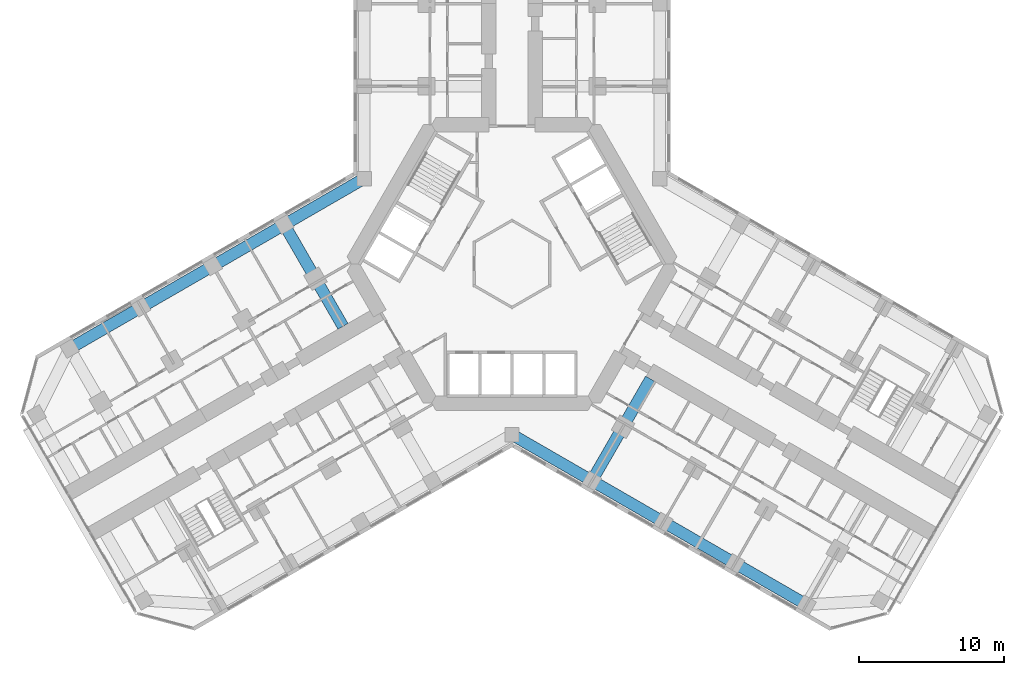
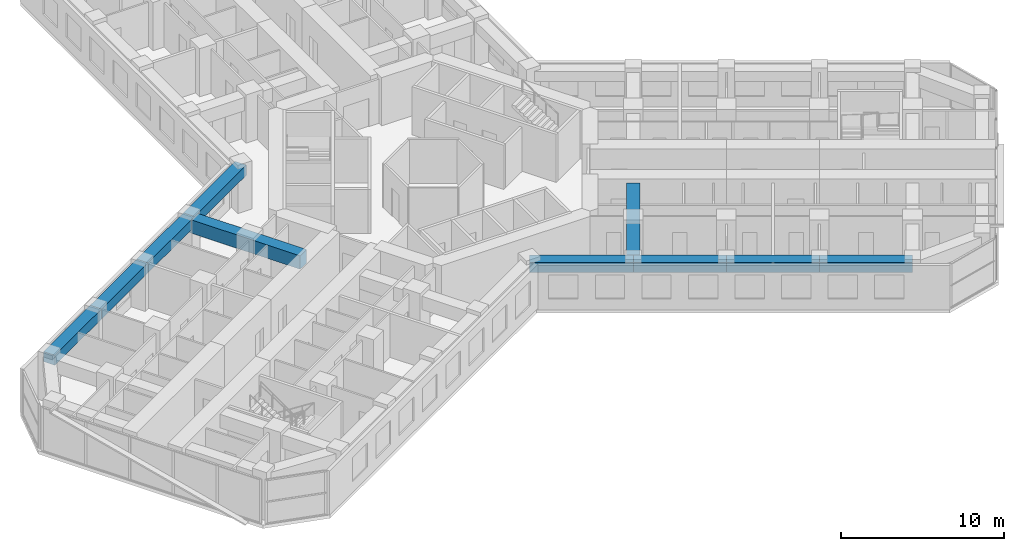
# One storey, part 4 of 21: 10 beams.
"""IFC4 building model written with IfcOpenShell, lengths in metres."""

from ifc_helpers import new_model, si_unit, direction, frame, origin, origin_2d, place, context, subcontext, project, spatial, rectangle, extrude, material, material_profile, profile_set, type_object, element, save


model = new_model("IFC4")

# Units and contexts
model_context = context("Model", 3, precision=1e-05, world=origin(), true_north=direction((0.0, 1.0)))
body_context = subcontext(model_context, "Body", "Model", "MODEL_VIEW")
ifc_project = project(units=[si_unit("LENGTHUNIT", "METRE"), si_unit("AREAUNIT", "SQUARE_METRE"), si_unit("VOLUMEUNIT", "CUBIC_METRE"), si_unit("PLANEANGLEUNIT", "RADIAN"), si_unit("MASSUNIT", "GRAM", prefix="KILO")], contexts=[model_context])

# Site, building, storey
site_placement = place(None, origin())
site = spatial("IfcSite", under=ifc_project, at=site_placement, CompositionType="ELEMENT")
building_placement = place(site_placement, origin())
building = spatial("IfcBuilding", under=site, at=building_placement, Name="Kosmar Iwan School Tower", CompositionType="ELEMENT")
storey_placement = place(building_placement, frame((0.0, 0.0, 109.60009765625)))
storey = spatial("IfcBuildingStorey", under=building, at=storey_placement, Name="L27", CompositionType="ELEMENT", Elevation=109.60009765625)

# Beams
ifc_material_1 = material(Name="Concrete C50/60", Category="concrete")
ifc_material_profile_1 = material_profile(ifc_material_1, rectangle(XDim=0.800048828125, YDim=0.75, at=origin_2d()), Name="RC 800x750 + HD 400x634")
ifc_profile_set_1 = profile_set([ifc_material_profile_1], Name="Concrete C50/60")
beam_type_1 = type_object("IfcBeamType", Name="Composite edge beam 800x750 HD 400x634", PredefinedType="BEAM", material=ifc_profile_set_1)
beam_1_placement = place(storey_placement, frame((-10.199951171875, 5.888916015625, 2.9248046875), z_axis=(-0.866030912664, -0.49999045822, 0.0), x_axis=(0.49999045822, -0.866030912664, 0.0)))
element("IfcBeam", 1, at=beam_1_placement, inside=storey, type_object=beam_type_1, Name="Edge beam BR1", PredefinedType="BEAM", context=body_context, shape_type="SweptSolid", body=[
    extrude(rectangle(XDim=0.800048828125, YDim=0.75, at=origin_2d()), origin(), (0.0, 0.0, 1.0), 6.36083984375),
])
beam_2_placement = place(storey_placement, frame((-15.708740234375, 2.70849609375, 2.9248046875), z_axis=(-0.866025820012, -0.499999279071, 0.0), x_axis=(0.499999279071, -0.866025820012, 0.0)))
element("IfcBeam", 2, at=beam_2_placement, inside=storey, type_object=beam_type_1, Name="Edge beam BR2", PredefinedType="BEAM", context=body_context, shape_type="SweptSolid", body=[
    extrude(rectangle(XDim=0.800048828125, YDim=0.75, at=origin_2d()), origin(), (0.0, 0.0, 1.0), 5.7001953125),
])
for number, where, z_axis, x_axis, name in (
    (3, (-20.645263671875, -0.1416015625, 2.9248046875), (-0.866033658841, -0.49998570155, 0.0), (0.49998570155, -0.866033658841, 0.0), "Edge beam BR3"),
    (4, (-25.58154296875, -2.991455078125, 2.9248046875), (-0.866015111908, -0.50001782563, 0.0), (0.50001782563, -0.866015111908, 0.0), "Edge beam BR4"),
):
    element("IfcBeam", number, at=place(storey_placement, frame(where, z_axis=z_axis, x_axis=x_axis)), inside=storey, type_object=beam_type_1, Name=name, PredefinedType="BEAM", context=body_context, shape_type="SweptSolid", body=[
        extrude(rectangle(XDim=0.800048828125, YDim=0.75, at=origin_2d()), origin(), (0.0, 0.0, 1.0), 5.699951171875),
    ])
beam_3_placement = place(storey_placement, frame((0.0, -11.77783203125, 2.9248046875), z_axis=(0.866014293216, -0.500019243575, 0.0), x_axis=(0.500019243575, 0.866014293216, 0.0)))
element("IfcBeam", 5, at=beam_3_placement, inside=storey, type_object=beam_type_1, Name="Edge beam CR1", PredefinedType="BEAM", context=body_context, shape_type="SweptSolid", body=[
    extrude(rectangle(XDim=0.800048828125, YDim=0.75, at=origin_2d()), origin(), (0.0, 0.0, 1.0), 6.361083984375),
])
beam_4_placement = place(storey_placement, frame((5.5087890625, -14.95849609375, 2.9248046875), z_axis=(0.866033658841, -0.49998570155, 0.0), x_axis=(0.49998570155, 0.866033658841, 0.0)))
element("IfcBeam", 6, at=beam_4_placement, inside=storey, type_object=beam_type_1, Name="Edge beam CR2", PredefinedType="BEAM", context=body_context, shape_type="SweptSolid", body=[
    extrude(rectangle(XDim=0.800048828125, YDim=0.75, at=origin_2d()), origin(), (0.0, 0.0, 1.0), 5.699951171875),
])
beam_5_placement = place(storey_placement, frame((10.445068359375, -17.808349609375, 2.9248046875), z_axis=(0.866025820012, -0.499999279071, 0.0), x_axis=(0.499999279071, 0.866025820012, 0.0)))
element("IfcBeam", 7, at=beam_5_placement, inside=storey, type_object=beam_type_1, Name="Edge beam CR3", PredefinedType="BEAM", context=body_context, shape_type="SweptSolid", body=[
    extrude(rectangle(XDim=0.800048828125, YDim=0.75, at=origin_2d()), origin(), (0.0, 0.0, 1.0), 5.7001953125),
])
beam_6_placement = place(storey_placement, frame((15.381591796875, -20.658447265625, 2.9248046875), z_axis=(0.866015111908, -0.50001782563, 0.0), x_axis=(0.50001782563, 0.866015111908, 0.0)))
element("IfcBeam", 8, at=beam_6_placement, inside=storey, type_object=beam_type_1, Name="Edge beam CR4", PredefinedType="BEAM", context=body_context, shape_type="SweptSolid", body=[
    extrude(rectangle(XDim=0.800048828125, YDim=0.75, at=origin_2d()), origin(), (0.0, 0.0, 1.0), 5.699951171875),
])
ifc_material_2 = material(Name="Concrete C50/60", Category="concrete")
ifc_material_profile_2 = material_profile(ifc_material_2, rectangle(XDim=0.800048828125, YDim=1.0, at=origin_2d()), Name="RC 800x1000 + HD 400x634")
ifc_profile_set_2 = profile_set([ifc_material_profile_2], Name="Concrete C50/60")
beam_type_2 = type_object("IfcBeamType", Name="Composite transverse beam 800x1000 HD 400x634", PredefinedType="BEAM", material=ifc_profile_set_2)
for number, where, z_axis, x_axis, name in (
    (9, (-15.708740234375, 2.70849609375, 2.7998046875), (0.499999880539, -0.866025472755, 0.0), (0.866025472755, 0.499999880539, 0.0), "Transverse beam BR1"),
    (10, (5.5087890625, -14.95849609375, 2.7998046875), (0.499999880539, 0.866025472755, 0.0), (-0.866025472755, 0.499999880539, 0.0), "Transverse beam CR1"),
):
    element("IfcBeam", number, at=place(storey_placement, frame(where, z_axis=z_axis, x_axis=x_axis)), inside=storey, type_object=beam_type_2, Name=name, PredefinedType="BEAM", context=body_context, shape_type="SweptSolid", body=[
        extrude(rectangle(XDim=0.800048828125, YDim=1.0, at=origin_2d()), origin(), (0.0, 0.0, 1.0), 8.10009765625),
    ])

save(model, "model.ifc")
